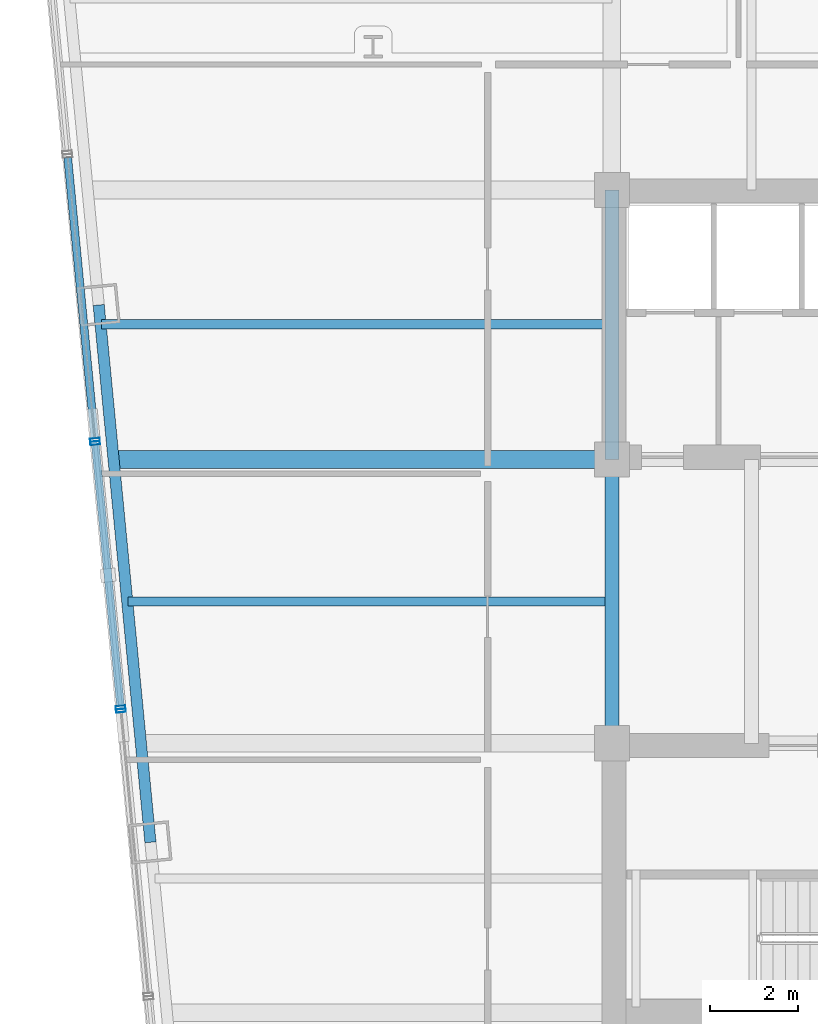
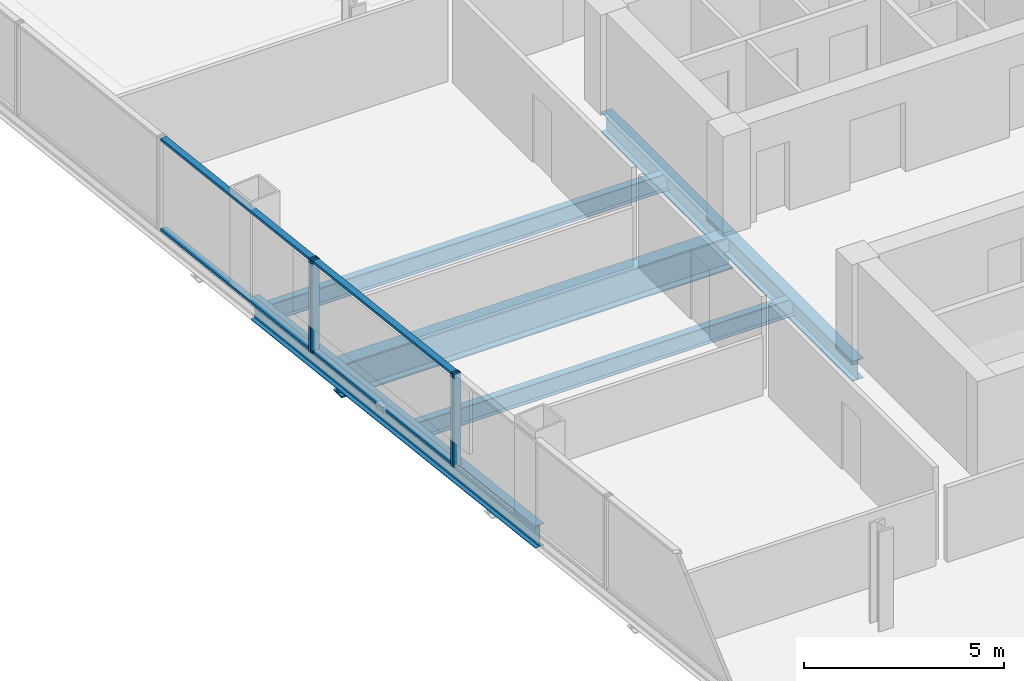
# One storey, part 8 of 28: 8 members, 6 beams, 3 elements without a shape of their own.
"""IFC4 building model written with IfcOpenShell, lengths in metres."""

from ifc_helpers import new_model, si_unit, direction, frame, origin, origin_2d, place, context, subcontext, project, spatial, hollow_rectangle, i_section, extrude, material, layer, layer_set, material_profile, profile_set, type_object, element, aggregate, save


model = new_model("IFC4")

# Units and contexts
model_context = context("Model", 3, precision=1e-05, world=origin(), true_north=direction((0.0, 1.0)))
body_context = subcontext(model_context, "Body", "Model", "MODEL_VIEW")
ifc_project = project(units=[si_unit("LENGTHUNIT", "METRE"), si_unit("AREAUNIT", "SQUARE_METRE"), si_unit("VOLUMEUNIT", "CUBIC_METRE"), si_unit("PLANEANGLEUNIT", "RADIAN"), si_unit("MASSUNIT", "GRAM", prefix="KILO")], contexts=[model_context])

# Site, building, storey
site_placement = place(None, origin())
site = spatial("IfcSite", under=ifc_project, at=site_placement, CompositionType="ELEMENT")
building_placement = place(site_placement, origin())
building = spatial("IfcBuilding", under=site, at=building_placement, Name="Qhalaya Broadcast Tower", CompositionType="ELEMENT")
storey_placement = place(building_placement, frame((0.0, 0.0, 90.800048828125)))
storey = spatial("IfcBuildingStorey", under=building, at=storey_placement, Name="L26", CompositionType="ELEMENT", Elevation=90.800048828125)

# Beams
ifc_material_1 = material(Name="Structural Steel ASTM A992 Grade 50", Category="steel")
ifc_material_profile_1 = material_profile(ifc_material_1, i_section(OverallWidth=0.2099609375, OverallDepth=0.535888671875, WebThickness=0.010986328125, FlangeThickness=0.017333984375, at=origin_2d()), Name="W21X68")
ifc_profile_set_1 = profile_set([ifc_material_profile_1], Name="Structural Steel ASTM A992 Grade 50")
beam_type_1 = type_object("IfcBeamType", Name="Composite Floor Joist J02", PredefinedType="JOIST", material=ifc_profile_set_1)
beam_1_placement = place(storey_placement, frame((-20.368408203125, 0.60009765625, -0.488037109375), z_axis=(1.0, 0.0, 0.0), x_axis=(0.0, 1.0, 0.0)))
element("IfcBeam", 1, at=beam_1_placement, inside=storey, type_object=beam_type_1, Name="L26 J02 L26-JWE4W-1", PredefinedType="JOIST", context=body_context, shape_type="SweptSolid", body=[
    extrude(i_section(OverallWidth=0.2099609375, OverallDepth=0.535888671875, WebThickness=0.010986328125, FlangeThickness=0.017333984375, at=origin_2d()), origin(), (0.0, 0.0, 1.0), 10.993408203125),
])
beam_2_placement = place(storey_placement, frame((-20.974853515625, 6.89990234375, -0.488037109375), z_axis=(1.0, 0.0, 0.0), x_axis=(0.0, 1.0, 0.0)))
element("IfcBeam", 2, at=beam_2_placement, inside=storey, type_object=beam_type_1, Name="L26 J02 L26-JWE5W-1", PredefinedType="JOIST", context=body_context, shape_type="SweptSolid", body=[
    extrude(i_section(OverallWidth=0.2099609375, OverallDepth=0.535888671875, WebThickness=0.010986328125, FlangeThickness=0.017333984375, at=origin_2d()), origin(), (0.0, 0.0, 1.0), 11.599853515625),
])
ifc_material_profile_2 = material_profile(ifc_material_1, i_section(OverallWidth=0.323974609375, OverallDepth=0.612060546875, WebThickness=0.0126953125, FlangeThickness=0.01904296875, at=origin_2d()), Name="W24X104")
ifc_profile_set_2 = profile_set([ifc_material_profile_2], Name="Structural Steel ASTM A992 Grade 50")
beam_type_2 = type_object("IfcBeamType", Name="Core Frame Tie Beam B04", PredefinedType="BEAM", material=ifc_profile_set_2)
beam_3_placement = place(storey_placement, frame((-9.375, 3.824951171875, -0.526123046875), z_axis=(0.0, 1.0, 0.0), x_axis=(-1.0, 0.0, 0.0)))
element("IfcBeam", 3, at=beam_3_placement, inside=storey, type_object=beam_type_2, Name="L26 B04 L26-CCN2", PredefinedType="BEAM", context=body_context, shape_type="SweptSolid", body=[
    extrude(i_section(OverallWidth=0.323974609375, OverallDepth=0.612060546875, WebThickness=0.0126953125, FlangeThickness=0.01904296875, at=origin_2d()), origin(), (0.0, 0.0, 1.0), 6.125),
])
beam_4_placement = place(storey_placement, frame((-9.375, -2.625, -0.526123046875), z_axis=(0.0, 1.0, 0.0), x_axis=(-1.0, 0.0, 0.0)))
element("IfcBeam", 4, at=beam_4_placement, inside=storey, type_object=beam_type_2, Name="L26 B04 L26-CCW", PredefinedType="BEAM", context=body_context, shape_type="SweptSolid", body=[
    extrude(i_section(OverallWidth=0.323974609375, OverallDepth=0.612060546875, WebThickness=0.0126953125, FlangeThickness=0.01904296875, at=origin_2d()), origin(), (0.0, 0.0, 1.0), 6.449951171875),
])
ifc_material_profile_3 = material_profile(ifc_material_1, i_section(OverallWidth=0.40087890625, OverallDepth=1.010986328125, WebThickness=0.023681640625, FlangeThickness=0.0419921875, at=origin_2d()), Name="W40X297")
ifc_profile_set_3 = profile_set([ifc_material_profile_3], Name="Structural Steel ASTM A992 Grade 50")
beam_type_3 = type_object("IfcBeamType", Name="Lower Block Primary Girder PG2", PredefinedType="USERDEFINED", material=ifc_profile_set_3)
beam_5_placement = place(storey_placement, frame((-20.6787109375, 3.824951171875, -0.7255859375), z_axis=(1.0, 0.0, 0.0), x_axis=(0.0, 1.0, 0.0)))
element("IfcBeam", 5, at=beam_5_placement, inside=storey, type_object=beam_type_3, Name="L26 PG2 L26-PGYW3-1", ObjectType="GIRDER", PredefinedType="USERDEFINED", context=body_context, shape_type="SweptSolid", body=[
    extrude(i_section(OverallWidth=0.40087890625, OverallDepth=1.010986328125, WebThickness=0.023681640625, FlangeThickness=0.0419921875, at=origin_2d()), origin(), (0.0, 0.0, 1.0), 11.3037109375),
])
ifc_material_profile_4 = material_profile(ifc_material_1, i_section(OverallWidth=0.25390625, OverallDepth=0.68310546875, WebThickness=0.012451171875, FlangeThickness=0.01904296875, at=origin_2d()), Name="W27X94")
ifc_profile_set_4 = profile_set([ifc_material_profile_4], Name="Structural Steel ASTM A992 Grade 50")
beam_type_4 = type_object("IfcBeamType", Name="Perimeter Ring Spandrel Beam SP1", PredefinedType="SPANDREL", material=ifc_profile_set_4)
beam_6_placement = place(storey_placement, frame((-21.036865234375, 7.335205078125, -0.5615234375), z_axis=(0.095851586307, -0.99539563662, 0.0), x_axis=(0.99539563662, 0.095851586307, 0.0)))
element("IfcBeam", 6, at=beam_6_placement, inside=storey, type_object=beam_type_4, Name="L26 SP1 L26-SPR-14", PredefinedType="SPANDREL", context=body_context, shape_type="SweptSolid", body=[
    extrude(i_section(OverallWidth=0.25390625, OverallDepth=0.68310546875, WebThickness=0.012451171875, FlangeThickness=0.01904296875, at=origin_2d()), origin(), (0.0, 0.0, 1.0), 12.2666015625),
])

# Curtain wall, member
ifc_material_2 = material(Name="Solar-Control Low-E Triple Glazing", Category="glass")
ifc_layer_1 = layer(ifc_material_2, 0.219970703125, Name="Solar-Control Low-E Triple Glazing")
ifc_layer_set_1 = layer_set([ifc_layer_1], Name="Solar-Control Low-E Triple Glazing")
curtain_wall_type_1 = type_object("IfcCurtainWallType", Name="Even-Block 4-Storey Double-Module Curtain Wall CW-03", PredefinedType="NOTDEFINED", material=ifc_layer_set_1)
curtain_wall_1_placement = place(storey_placement, origin())
curtain_wall_1 = element("IfcCurtainWall", 7, at=curtain_wall_1_placement, inside=storey, type_object=curtain_wall_type_1, Name="L26 Unitised Curtain Wall L26-CW-W3", PredefinedType="NOTDEFINED")
ifc_material_3 = material(Name="Anodised Aluminium 6063-T6", Category="aluminium")
ifc_material_profile_5 = material_profile(ifc_material_3, hollow_rectangle(XDim=0.074951171875, YDim=0.219970703125, WallThickness=0.00390625, at=origin_2d()), Name="ALU-MUL 75x220x4")
ifc_profile_set_5 = profile_set([ifc_material_profile_5], Name="Anodised Aluminium 6063-T6")
member_type_1 = type_object("IfcMemberType", Name="Unitised Curtain-Wall Mullion M01", PredefinedType="MULLION", material=ifc_profile_set_5)
member_1_placement = place(storey_placement, frame((-21.12353515625, 4.27099609375, 0.0), z_axis=(0.0, 0.0, 1.0), x_axis=(0.095852453314, -0.995395553131, 0.0)))
member_1 = element("IfcMember", 8, at=member_1_placement, type_object=member_type_1, Name="CW-03 mullion 2", PredefinedType="MULLION", context=body_context, shape_type="SweptSolid", body=[
    extrude(hollow_rectangle(XDim=0.074951171875, YDim=0.219970703125, WallThickness=0.00390625, at=origin_2d()), origin(), (0.0, 0.0, 1.0), 2.829833984375),
])

# Curtain wall, members
ifc_material_4 = material(Name="Fired Architectural Terracotta", Category="masonry")
ifc_layer_2 = layer(ifc_material_4, 0.219970703125, Name="Fired Architectural Terracotta")
ifc_layer_set_2 = layer_set([ifc_layer_2], Name="Fired Architectural Terracotta")
curtain_wall_type_2 = type_object("IfcCurtainWallType", Name="Block-Cap Unitised Terracotta Spandrel Wall CW-07", PredefinedType="NOTDEFINED", material=ifc_layer_set_2)
curtain_wall_2_placement = place(storey_placement, origin())
curtain_wall_2 = element("IfcCurtainWall", 9, at=curtain_wall_2_placement, inside=storey, type_object=curtain_wall_type_2, Name="L26 Unitised Curtain Wall L26-CW-W4", PredefinedType="NOTDEFINED")
member_2_placement = place(storey_placement, frame((-21.116455078125, 4.1962890625, 0.0), z_axis=(0.0, 0.0, 1.0), x_axis=(0.095841245509, -0.995396632333, 0.0)))
member_2 = element("IfcMember", 10, at=member_2_placement, type_object=member_type_1, Name="CW-07 mullion 1", PredefinedType="MULLION", context=body_context, shape_type="SweptSolid", body=[
    extrude(hollow_rectangle(XDim=0.074951171875, YDim=0.219970703125, WallThickness=0.00390625, at=origin_2d()), origin(), (0.0, 0.0, 1.0), 2.829833984375),
])
member_3_placement = place(storey_placement, frame((-20.5380859375, -1.808837890625, 0.0), z_axis=(0.0, 0.0, 1.0), x_axis=(0.095841245509, -0.995396632333, 0.0)))
member_3 = element("IfcMember", 11, at=member_3_placement, type_object=member_type_1, Name="CW-07 mullion 2", PredefinedType="MULLION", context=body_context, shape_type="SweptSolid", body=[
    extrude(hollow_rectangle(XDim=0.074951171875, YDim=0.219970703125, WallThickness=0.00390625, at=origin_2d()), origin(), (0.0, 0.0, 1.0), 2.829833984375),
])

# Curtain wall, member
curtain_wall_3_placement = place(storey_placement, origin())
curtain_wall_3 = element("IfcCurtainWall", 12, at=curtain_wall_3_placement, inside=storey, type_object=curtain_wall_type_1, Name="L26 Unitised Curtain Wall L26-CW-W5", PredefinedType="NOTDEFINED")
member_4_placement = place(storey_placement, frame((-20.531005859375, -1.883544921875, 0.0), z_axis=(0.0, 0.0, 1.0), x_axis=(0.095852453314, -0.995395553131, 0.0)))
member_4 = element("IfcMember", 13, at=member_4_placement, type_object=member_type_1, Name="CW-03 mullion 1", PredefinedType="MULLION", context=body_context, shape_type="SweptSolid", body=[
    extrude(hollow_rectangle(XDim=0.074951171875, YDim=0.219970703125, WallThickness=0.00390625, at=origin_2d()), origin(), (0.0, 0.0, 1.0), 2.829833984375),
])
aggregate(curtain_wall_3, [member_4])

# Member
ifc_material_profile_6 = material_profile(ifc_material_3, hollow_rectangle(XDim=0.074951171875, YDim=0.179931640625, WallThickness=0.00390625, at=origin_2d()), Name="ALU-TRN 75x180x4")
ifc_profile_set_6 = profile_set([ifc_material_profile_6], Name="Anodised Aluminium 6063-T6")
member_type_2 = type_object("IfcMemberType", Name="Unitised Curtain-Wall Transom T01", PredefinedType="USERDEFINED", material=ifc_profile_set_6)
member_5_placement = place(storey_placement, frame((-21.741455078125, 10.686767578125, 0.037353515625), z_axis=(0.095859052771, -0.995394917609, 0.0), x_axis=(0.0, 0.0, 1.0)))
member_5 = element("IfcMember", 14, at=member_5_placement, type_object=member_type_2, Name="CW-03 transom 1.1", ObjectType="TRANSOM", PredefinedType="USERDEFINED", context=body_context, shape_type="SweptSolid", body=[
    extrude(hollow_rectangle(XDim=0.074951171875, YDim=0.179931640625, WallThickness=0.00390625, at=origin_2d()), origin(), (0.0, 0.0, 1.0), 6.407958984375),
])

member_6_placement = place(storey_placement, frame((-21.741455078125, 10.686767578125, 2.79248046875), z_axis=(0.095859052771, -0.995394917609, 0.0), x_axis=(0.0, 0.0, 1.0)))
member_6 = element("IfcMember", 15, at=member_6_placement, type_object=member_type_2, Name="CW-03 transom 1.2", ObjectType="TRANSOM", PredefinedType="USERDEFINED", context=body_context, shape_type="SweptSolid", body=[
    extrude(hollow_rectangle(XDim=0.074951171875, YDim=0.179931640625, WallThickness=0.00390625, at=origin_2d()), origin(), (0.0, 0.0, 1.0), 6.407958984375),
])

aggregate(curtain_wall_1, [member_1, member_5, member_6])

member_7_placement = place(storey_placement, frame((-21.11279296875, 4.158935546875, 0.037353515625), z_axis=(0.095847487433, -0.995396031313, 0.0), x_axis=(0.0, 0.0, 1.0)))
member_7 = element("IfcMember", 16, at=member_7_placement, type_object=member_type_2, Name="CW-07 transom 1.1", ObjectType="TRANSOM", PredefinedType="USERDEFINED", context=body_context, shape_type="SweptSolid", body=[
    extrude(hollow_rectangle(XDim=0.074951171875, YDim=0.179931640625, WallThickness=0.00390625, at=origin_2d()), origin(), (0.0, 0.0, 1.0), 5.957763671875),
])

member_8_placement = place(storey_placement, frame((-21.11279296875, 4.158935546875, 2.79248046875), z_axis=(0.095847487433, -0.995396031313, 0.0), x_axis=(0.0, 0.0, 1.0)))
member_8 = element("IfcMember", 17, at=member_8_placement, type_object=member_type_2, Name="CW-07 transom 1.2", ObjectType="TRANSOM", PredefinedType="USERDEFINED", context=body_context, shape_type="SweptSolid", body=[
    extrude(hollow_rectangle(XDim=0.074951171875, YDim=0.179931640625, WallThickness=0.00390625, at=origin_2d()), origin(), (0.0, 0.0, 1.0), 5.957763671875),
])

aggregate(curtain_wall_2, [member_2, member_3, member_7, member_8])

save(model, "model.ifc")
